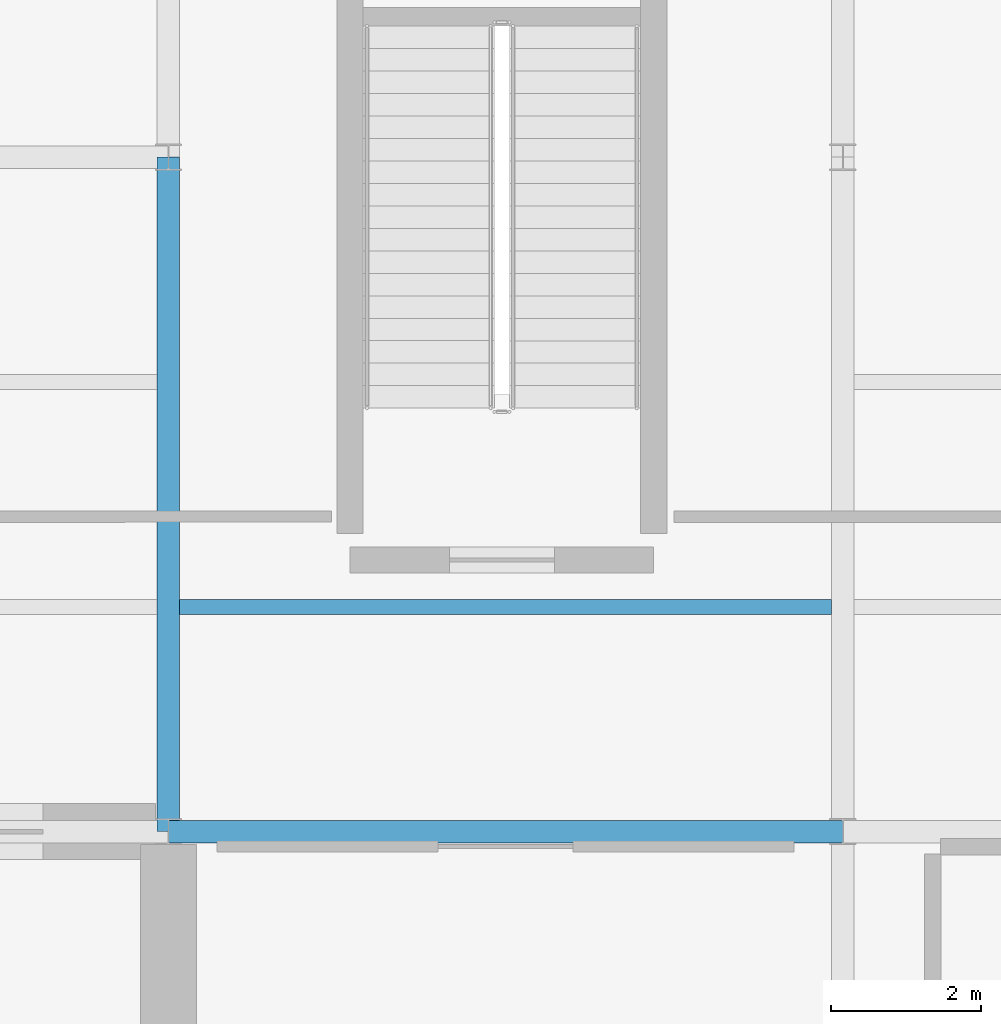
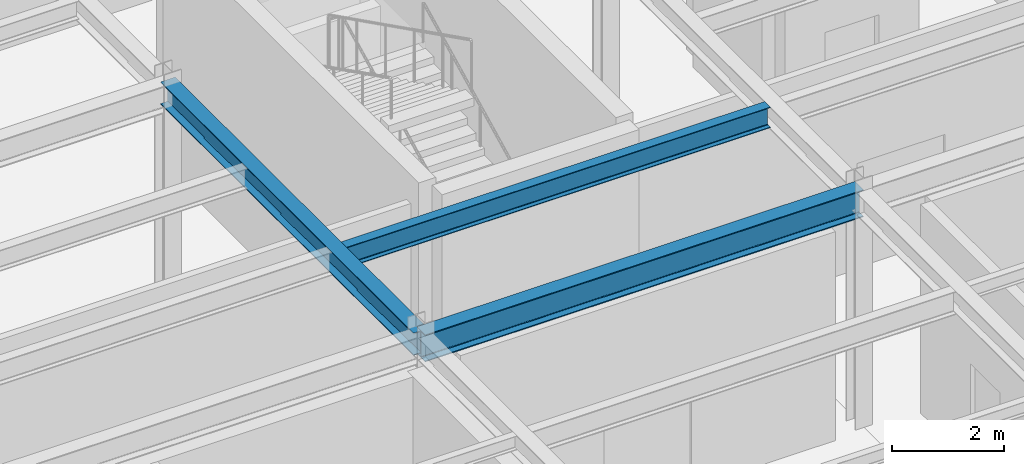
# One storey, part 31 of 166: 3 beams.
"""IFC4 building model written with IfcOpenShell, lengths in metres."""

from ifc_helpers import new_model, si_unit, direction, frame, origin, origin_2d, place, context, subcontext, project, spatial, i_section, extrude, material, material_profile, profile_set, type_object, element, save


model = new_model("IFC4")

# Units and contexts
model_context = context("Model", 3, precision=1e-05, world=origin(), true_north=direction((0.0, 1.0)))
body_context = subcontext(model_context, "Body", "Model", "MODEL_VIEW")
ifc_project = project(units=[si_unit("LENGTHUNIT", "METRE"), si_unit("AREAUNIT", "SQUARE_METRE"), si_unit("VOLUMEUNIT", "CUBIC_METRE"), si_unit("PLANEANGLEUNIT", "RADIAN"), si_unit("MASSUNIT", "GRAM", prefix="KILO")], contexts=[model_context])

# Site, building, storey
site_placement = place(None, origin())
site = spatial("IfcSite", under=ifc_project, at=site_placement, CompositionType="ELEMENT")
building_placement = place(site_placement, origin())
building = spatial("IfcBuilding", under=site, at=building_placement, Name="Haizhuo Lancet Aquarium", CompositionType="ELEMENT")
storey_placement = place(building_placement, frame((0.0, 0.0, 5.39990234375)))
storey = spatial("IfcBuildingStorey", under=building, at=storey_placement, Name="L01", CompositionType="ELEMENT", Elevation=5.39990234375)

# Beams
ifc_material = material(Name="Steel S355", Category="steel")
ifc_material_profile_1 = material_profile(ifc_material, i_section(OverallWidth=0.300048828125, OverallDepth=0.488037109375, WebThickness=0.010986328125, FlangeThickness=0.01806640625, FilletRadius=0.02392578125, at=origin_2d()), Name="HM 488x300x11x18")
ifc_profile_set_1 = profile_set([ifc_material_profile_1], Name="Steel S355")
beam_type_1 = type_object("IfcBeamType", Name="BM-ST-HM488", PredefinedType="BEAM", material=ifc_profile_set_1)
beam_1_placement = place(storey_placement, frame((-9.0, -45.0, 4.89599609375), z_axis=(0.0, 1.0, 0.0), x_axis=(-1.0, 0.0, 0.0)))
element("IfcBeam", 1, at=beam_1_placement, inside=storey, type_object=beam_type_1, Name="L01 V4 primary girder BM-L01-V4-010", PredefinedType="BEAM", context=body_context, shape_type="SweptSolid", body=[
    extrude(i_section(OverallWidth=0.300048828125, OverallDepth=0.488037109375, WebThickness=0.010986328125, FlangeThickness=0.01806640625, FilletRadius=0.02392578125, at=origin_2d()), origin(), (0.0, 0.0, 1.0), 9.0),
])
ifc_material_profile_2 = material_profile(ifc_material, i_section(OverallWidth=0.300048828125, OverallDepth=0.587890625, WebThickness=0.011962890625, FlangeThickness=0.02001953125, FilletRadius=0.02587890625, at=origin_2d()), Name="HM 588x300x12x20")
ifc_profile_set_2 = profile_set([ifc_material_profile_2], Name="Steel S355")
beam_type_2 = type_object("IfcBeamType", Name="BM-ST-HM588", PredefinedType="BEAM", material=ifc_profile_set_2)
beam_2_placement = place(storey_placement, frame((-9.0, -45.0, 4.84619140625), z_axis=(1.0, 0.0, 0.0), x_axis=(0.0, 1.0, 0.0)))
element("IfcBeam", 2, at=beam_2_placement, inside=storey, type_object=beam_type_2, Name="L01 V4 primary girder BM-L01-V4-011", PredefinedType="BEAM", context=body_context, shape_type="SweptSolid", body=[
    extrude(i_section(OverallWidth=0.300048828125, OverallDepth=0.587890625, WebThickness=0.011962890625, FlangeThickness=0.02001953125, FilletRadius=0.02587890625, at=origin_2d()), origin(), (0.0, 0.0, 1.0), 9.0),
])
ifc_material_profile_3 = material_profile(ifc_material, i_section(OverallWidth=0.199951171875, OverallDepth=0.449951171875, WebThickness=0.009033203125, FlangeThickness=0.013916015625, FilletRadius=0.01806640625, at=origin_2d()), Name="HN 450x200x9x14")
ifc_profile_set_3 = profile_set([ifc_material_profile_3], Name="Steel S355")
beam_type_3 = type_object("IfcBeamType", Name="JST-ST-HN450", PredefinedType="JOIST", material=ifc_profile_set_3)
beam_3_placement = place(storey_placement, frame((-8.85009765625, -42.0, 4.9150390625), z_axis=(1.0, 0.0, 0.0), x_axis=(0.0, 1.0, 0.0)))
element("IfcBeam", 3, at=beam_3_placement, inside=storey, type_object=beam_type_3, Name="L01 V4 secondary floor joist 9", PredefinedType="JOIST", context=body_context, shape_type="SweptSolid", body=[
    extrude(i_section(OverallWidth=0.199951171875, OverallDepth=0.449951171875, WebThickness=0.009033203125, FlangeThickness=0.013916015625, FilletRadius=0.01806640625, at=origin_2d()), origin(), (0.0, 0.0, 1.0), 8.7001953125),
])

save(model, "model.ifc")
